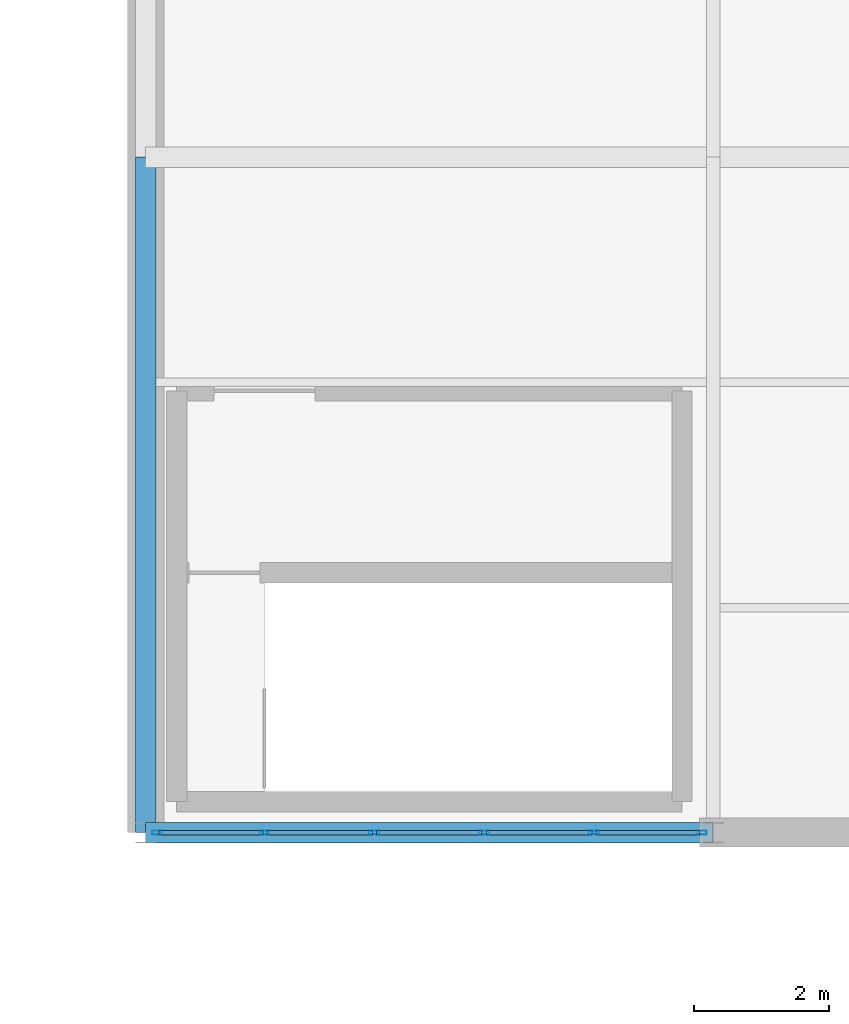
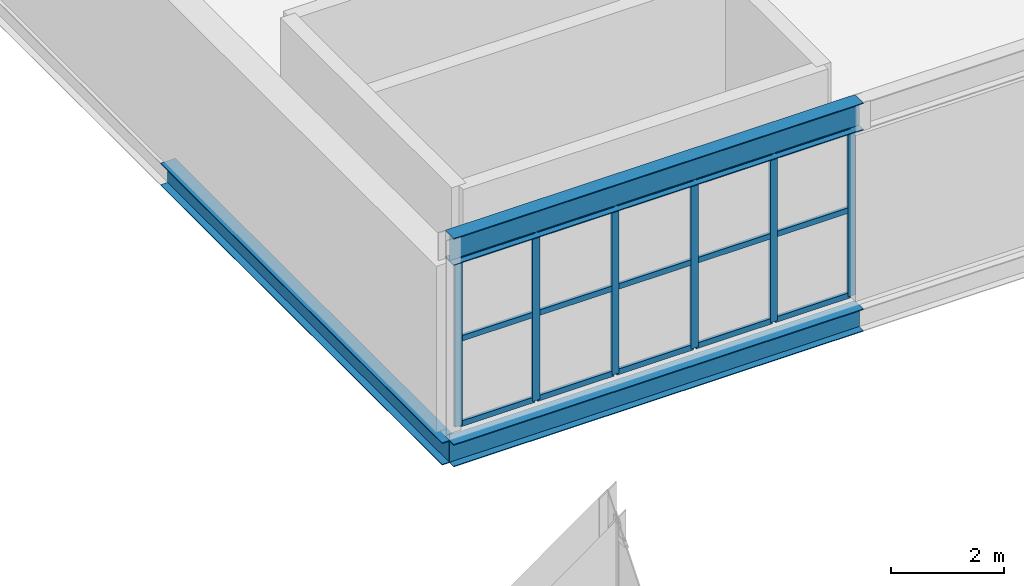
# One storey, part 88 of 218: 21 members, 3 beams, 1 element without a shape of its own.
"""IFC4 building model written with IfcOpenShell, lengths in metres."""

from ifc_helpers import new_model, si_unit, direction, frame, origin, origin_2d, place, context, subcontext, project, spatial, hollow_rectangle, i_section, extrude, material, material_profile, profile_set, type_object, element, aggregate, save


model = new_model("IFC4")

# Units and contexts
model_context = context("Model", 3, precision=1e-05, world=origin(), true_north=direction((0.0, 1.0)))
body_context = subcontext(model_context, "Body", "Model", "MODEL_VIEW")
ifc_project = project(units=[si_unit("LENGTHUNIT", "METRE"), si_unit("AREAUNIT", "SQUARE_METRE"), si_unit("VOLUMEUNIT", "CUBIC_METRE"), si_unit("PLANEANGLEUNIT", "RADIAN"), si_unit("MASSUNIT", "GRAM", prefix="KILO")], contexts=[model_context])

# Site, building, storey
site_placement = place(None, origin())
site = spatial("IfcSite", under=ifc_project, at=site_placement, CompositionType="ELEMENT")
building_placement = place(site_placement, origin())
building = spatial("IfcBuilding", under=site, at=building_placement, Name="Kazenagashi Tramway Depot", CompositionType="ELEMENT")
storey_placement = place(building_placement, frame((0.0, 0.0, 6.0)))
storey = spatial("IfcBuildingStorey", under=building, at=storey_placement, Name="L02", CompositionType="ELEMENT", Elevation=6.0)

# Curtain wall, members
ifc_material_1 = material(Name="Anodised Aluminium and Low-E Glazing", Category="aluminium")
curtain_wall_type = type_object("IfcCurtainWallType", Name="CW-11", PredefinedType="USERDEFINED", material=ifc_material_1)
curtain_wall_placement = place(storey_placement, origin())
curtain_wall = element("IfcCurtainWall", 1, at=curtain_wall_placement, inside=storey, type_object=curtain_wall_type, Name="Industrial Glazed Screen CW-11 CW-0019", ObjectType="GLAZED SCREEN", PredefinedType="USERDEFINED")
ifc_material_2 = material(Name="Anodised Aluminium", Category="aluminium")
ifc_material_profile_1 = material_profile(ifc_material_2, hollow_rectangle(XDim=0.06, YDim=0.15, WallThickness=0.004, at=origin_2d()), Name="RHS-150x60x4")
ifc_profile_set_1 = profile_set([ifc_material_profile_1], Name="Anodised Aluminium")
member_type_1 = type_object("IfcMemberType", Name="ML-01", PredefinedType="MULLION", material=ifc_profile_set_1)
member_1_placement = place(storey_placement, frame((44.97, 70.0, 0.0), z_axis=(0.0, 0.0, 1.0), x_axis=(0.0, 1.0, 0.0)))
member_1 = element("IfcMember", 2, at=member_1_placement, type_object=member_type_1, Name="CW-11 mullion 1", PredefinedType="MULLION", context=body_context, shape_type="SweptSolid", body=[
    extrude(hollow_rectangle(XDim=0.06, YDim=0.15, WallThickness=0.004, at=origin_2d()), origin(), (0.0, 0.0, 1.0), 3.612),
])
member_2_placement = place(storey_placement, frame((46.564, 70.0, 0.0), z_axis=(0.0, 0.0, 1.0), x_axis=(0.0, 1.0, 0.0)))
member_2 = element("IfcMember", 3, at=member_2_placement, type_object=member_type_1, Name="CW-11 mullion 2", PredefinedType="MULLION", context=body_context, shape_type="SweptSolid", body=[
    extrude(hollow_rectangle(XDim=0.06, YDim=0.15, WallThickness=0.004, at=origin_2d()), origin(), (0.0, 0.0, 1.0), 3.612),
])
member_3_placement = place(storey_placement, frame((48.188, 70.0, 0.0), z_axis=(0.0, 0.0, 1.0), x_axis=(0.0, 1.0, 0.0)))
member_3 = element("IfcMember", 4, at=member_3_placement, type_object=member_type_1, Name="CW-11 mullion 3", PredefinedType="MULLION", context=body_context, shape_type="SweptSolid", body=[
    extrude(hollow_rectangle(XDim=0.06, YDim=0.15, WallThickness=0.004, at=origin_2d()), origin(), (0.0, 0.0, 1.0), 3.612),
])
member_4_placement = place(storey_placement, frame((49.812, 70.0, 0.0), z_axis=(0.0, 0.0, 1.0), x_axis=(0.0, 1.0, 0.0)))
member_4 = element("IfcMember", 5, at=member_4_placement, type_object=member_type_1, Name="CW-11 mullion 4", PredefinedType="MULLION", context=body_context, shape_type="SweptSolid", body=[
    extrude(hollow_rectangle(XDim=0.06, YDim=0.15, WallThickness=0.004, at=origin_2d()), origin(), (0.0, 0.0, 1.0), 3.612),
])
member_5_placement = place(storey_placement, frame((51.436, 70.0, 0.0), z_axis=(0.0, 0.0, 1.0), x_axis=(0.0, 1.0, 0.0)))
member_5 = element("IfcMember", 6, at=member_5_placement, type_object=member_type_1, Name="CW-11 mullion 5", PredefinedType="MULLION", context=body_context, shape_type="SweptSolid", body=[
    extrude(hollow_rectangle(XDim=0.06, YDim=0.15, WallThickness=0.004, at=origin_2d()), origin(), (0.0, 0.0, 1.0), 3.612),
])
member_6_placement = place(storey_placement, frame((53.03, 70.0, 0.0), z_axis=(0.0, 0.0, 1.0), x_axis=(0.0, 1.0, 0.0)))
member_6 = element("IfcMember", 7, at=member_6_placement, type_object=member_type_1, Name="CW-11 mullion 6", PredefinedType="MULLION", context=body_context, shape_type="SweptSolid", body=[
    extrude(hollow_rectangle(XDim=0.06, YDim=0.15, WallThickness=0.004, at=origin_2d()), origin(), (0.0, 0.0, 1.0), 3.612),
])

# Beams
ifc_material_3 = material(Name="Steel SN490B", Category="steel")
ifc_material_profile_2 = material_profile(ifc_material_3, i_section(OverallWidth=0.3, OverallDepth=0.588, WebThickness=0.012, FlangeThickness=0.02, at=origin_2d()), Name="H-588x300x12x20")
ifc_profile_set_2 = profile_set([ifc_material_profile_2], Name="Steel SN490B")
beam_type_1 = type_object("IfcBeamType", Name="SP-01", PredefinedType="SPANDREL", material=ifc_profile_set_2)
beam_1_placement = place(storey_placement, frame((44.8, 70.0, 3.906), z_axis=(1.0, 0.0, 0.0), x_axis=(0.0, 1.0, 0.0)))
element("IfcBeam", 8, at=beam_1_placement, inside=storey, type_object=beam_type_1, Name="Beam SP-01 BM-1844", PredefinedType="SPANDREL", context=body_context, shape_type="SweptSolid", body=[
    extrude(i_section(OverallWidth=0.3, OverallDepth=0.588, WebThickness=0.012, FlangeThickness=0.02, at=origin_2d()), origin(), (0.0, 0.0, 1.0), 8.4),
])
ifc_material_profile_3 = material_profile(ifc_material_3, i_section(OverallWidth=0.3, OverallDepth=0.488, WebThickness=0.011, FlangeThickness=0.018, at=origin_2d()), Name="H-488x300x11x18")
ifc_profile_set_3 = profile_set([ifc_material_profile_3], Name="Steel SN490B")
beam_type_2 = type_object("IfcBeamType", Name="SP-02", PredefinedType="SPANDREL", material=ifc_profile_set_3)
beam_2_placement = place(storey_placement, frame((44.8, 70.0, -0.509), z_axis=(1.0, 0.0, 0.0), x_axis=(0.0, 1.0, 0.0)))
element("IfcBeam", 9, at=beam_2_placement, inside=storey, type_object=beam_type_2, Name="Beam SP-02 BM-1701", PredefinedType="SPANDREL", context=body_context, shape_type="SweptSolid", body=[
    extrude(i_section(OverallWidth=0.3, OverallDepth=0.488, WebThickness=0.011, FlangeThickness=0.018, at=origin_2d()), origin(), (0.0, 0.0, 1.0), 8.4),
])
beam_3_placement = place(storey_placement, frame((44.8, 70.0, -0.509), z_axis=(0.0, 1.0, 0.0), x_axis=(-1.0, 0.0, 0.0)))
element("IfcBeam", 10, at=beam_3_placement, inside=storey, type_object=beam_type_2, Name="Beam SP-02 BM-1737", PredefinedType="SPANDREL", context=body_context, shape_type="SweptSolid", body=[
    extrude(i_section(OverallWidth=0.3, OverallDepth=0.488, WebThickness=0.011, FlangeThickness=0.018, at=origin_2d()), origin(), (0.0, 0.0, 1.0), 10.0),
])

# Member
ifc_material_profile_4 = material_profile(ifc_material_2, hollow_rectangle(XDim=0.06, YDim=0.12, WallThickness=0.004, at=origin_2d()), Name="RHS-120x60x4")
ifc_profile_set_4 = profile_set([ifc_material_profile_4], Name="Anodised Aluminium")
member_type_2 = type_object("IfcMemberType", Name="TR-01", PredefinedType="USERDEFINED", material=ifc_profile_set_4)
member_7_placement = place(storey_placement, frame((45.0, 70.0, 0.03), z_axis=(1.0, 0.0, 0.0), x_axis=(0.0, 1.0, 0.0)))
member_7 = element("IfcMember", 11, at=member_7_placement, type_object=member_type_2, Name="CW-11 transom 1.1", ObjectType="TRANSOM", PredefinedType="USERDEFINED", context=body_context, shape_type="SweptSolid", body=[
    extrude(hollow_rectangle(XDim=0.06, YDim=0.12, WallThickness=0.004, at=origin_2d()), origin(), (0.0, 0.0, 1.0), 1.534),
])

member_8_placement = place(storey_placement, frame((45.0, 70.0, 1.878), z_axis=(1.0, 0.0, 0.0), x_axis=(0.0, 1.0, 0.0)))
member_8 = element("IfcMember", 12, at=member_8_placement, type_object=member_type_2, Name="CW-11 transom 1.2", ObjectType="TRANSOM", PredefinedType="USERDEFINED", context=body_context, shape_type="SweptSolid", body=[
    extrude(hollow_rectangle(XDim=0.06, YDim=0.12, WallThickness=0.004, at=origin_2d()), origin(), (0.0, 0.0, 1.0), 1.534),
])

member_9_placement = place(storey_placement, frame((45.0, 70.0, 3.582), z_axis=(1.0, 0.0, 0.0), x_axis=(0.0, 1.0, 0.0)))
member_9 = element("IfcMember", 13, at=member_9_placement, type_object=member_type_2, Name="CW-11 transom 1.3", ObjectType="TRANSOM", PredefinedType="USERDEFINED", context=body_context, shape_type="SweptSolid", body=[
    extrude(hollow_rectangle(XDim=0.06, YDim=0.12, WallThickness=0.004, at=origin_2d()), origin(), (0.0, 0.0, 1.0), 1.534),
])

member_10_placement = place(storey_placement, frame((46.594, 70.0, 0.03), z_axis=(1.0, 0.0, 0.0), x_axis=(0.0, 1.0, 0.0)))
member_10 = element("IfcMember", 14, at=member_10_placement, type_object=member_type_2, Name="CW-11 transom 2.1", ObjectType="TRANSOM", PredefinedType="USERDEFINED", context=body_context, shape_type="SweptSolid", body=[
    extrude(hollow_rectangle(XDim=0.06, YDim=0.12, WallThickness=0.004, at=origin_2d()), origin(), (0.0, 0.0, 1.0), 1.564),
])

member_11_placement = place(storey_placement, frame((46.594, 70.0, 1.878), z_axis=(1.0, 0.0, 0.0), x_axis=(0.0, 1.0, 0.0)))
member_11 = element("IfcMember", 15, at=member_11_placement, type_object=member_type_2, Name="CW-11 transom 2.2", ObjectType="TRANSOM", PredefinedType="USERDEFINED", context=body_context, shape_type="SweptSolid", body=[
    extrude(hollow_rectangle(XDim=0.06, YDim=0.12, WallThickness=0.004, at=origin_2d()), origin(), (0.0, 0.0, 1.0), 1.564),
])

member_12_placement = place(storey_placement, frame((46.594, 70.0, 3.582), z_axis=(1.0, 0.0, 0.0), x_axis=(0.0, 1.0, 0.0)))
member_12 = element("IfcMember", 16, at=member_12_placement, type_object=member_type_2, Name="CW-11 transom 2.3", ObjectType="TRANSOM", PredefinedType="USERDEFINED", context=body_context, shape_type="SweptSolid", body=[
    extrude(hollow_rectangle(XDim=0.06, YDim=0.12, WallThickness=0.004, at=origin_2d()), origin(), (0.0, 0.0, 1.0), 1.564),
])

member_13_placement = place(storey_placement, frame((48.218, 70.0, 0.03), z_axis=(1.0, 0.0, 0.0), x_axis=(0.0, 1.0, 0.0)))
member_13 = element("IfcMember", 17, at=member_13_placement, type_object=member_type_2, Name="CW-11 transom 3.1", ObjectType="TRANSOM", PredefinedType="USERDEFINED", context=body_context, shape_type="SweptSolid", body=[
    extrude(hollow_rectangle(XDim=0.06, YDim=0.12, WallThickness=0.004, at=origin_2d()), origin(), (0.0, 0.0, 1.0), 1.564),
])

member_14_placement = place(storey_placement, frame((48.218, 70.0, 1.878), z_axis=(1.0, 0.0, 0.0), x_axis=(0.0, 1.0, 0.0)))
member_14 = element("IfcMember", 18, at=member_14_placement, type_object=member_type_2, Name="CW-11 transom 3.2", ObjectType="TRANSOM", PredefinedType="USERDEFINED", context=body_context, shape_type="SweptSolid", body=[
    extrude(hollow_rectangle(XDim=0.06, YDim=0.12, WallThickness=0.004, at=origin_2d()), origin(), (0.0, 0.0, 1.0), 1.564),
])

member_15_placement = place(storey_placement, frame((48.218, 70.0, 3.582), z_axis=(1.0, 0.0, 0.0), x_axis=(0.0, 1.0, 0.0)))
member_15 = element("IfcMember", 19, at=member_15_placement, type_object=member_type_2, Name="CW-11 transom 3.3", ObjectType="TRANSOM", PredefinedType="USERDEFINED", context=body_context, shape_type="SweptSolid", body=[
    extrude(hollow_rectangle(XDim=0.06, YDim=0.12, WallThickness=0.004, at=origin_2d()), origin(), (0.0, 0.0, 1.0), 1.564),
])

member_16_placement = place(storey_placement, frame((49.842, 70.0, 0.03), z_axis=(1.0, 0.0, 0.0), x_axis=(0.0, 1.0, 0.0)))
member_16 = element("IfcMember", 20, at=member_16_placement, type_object=member_type_2, Name="CW-11 transom 4.1", ObjectType="TRANSOM", PredefinedType="USERDEFINED", context=body_context, shape_type="SweptSolid", body=[
    extrude(hollow_rectangle(XDim=0.06, YDim=0.12, WallThickness=0.004, at=origin_2d()), origin(), (0.0, 0.0, 1.0), 1.564),
])

member_17_placement = place(storey_placement, frame((49.842, 70.0, 1.878), z_axis=(1.0, 0.0, 0.0), x_axis=(0.0, 1.0, 0.0)))
member_17 = element("IfcMember", 21, at=member_17_placement, type_object=member_type_2, Name="CW-11 transom 4.2", ObjectType="TRANSOM", PredefinedType="USERDEFINED", context=body_context, shape_type="SweptSolid", body=[
    extrude(hollow_rectangle(XDim=0.06, YDim=0.12, WallThickness=0.004, at=origin_2d()), origin(), (0.0, 0.0, 1.0), 1.564),
])

member_18_placement = place(storey_placement, frame((49.842, 70.0, 3.582), z_axis=(1.0, 0.0, 0.0), x_axis=(0.0, 1.0, 0.0)))
member_18 = element("IfcMember", 22, at=member_18_placement, type_object=member_type_2, Name="CW-11 transom 4.3", ObjectType="TRANSOM", PredefinedType="USERDEFINED", context=body_context, shape_type="SweptSolid", body=[
    extrude(hollow_rectangle(XDim=0.06, YDim=0.12, WallThickness=0.004, at=origin_2d()), origin(), (0.0, 0.0, 1.0), 1.564),
])

member_19_placement = place(storey_placement, frame((51.466, 70.0, 0.03), z_axis=(1.0, 0.0, 0.0), x_axis=(0.0, 1.0, 0.0)))
member_19 = element("IfcMember", 23, at=member_19_placement, type_object=member_type_2, Name="CW-11 transom 5.1", ObjectType="TRANSOM", PredefinedType="USERDEFINED", context=body_context, shape_type="SweptSolid", body=[
    extrude(hollow_rectangle(XDim=0.06, YDim=0.12, WallThickness=0.004, at=origin_2d()), origin(), (0.0, 0.0, 1.0), 1.534),
])

member_20_placement = place(storey_placement, frame((51.466, 70.0, 1.878), z_axis=(1.0, 0.0, 0.0), x_axis=(0.0, 1.0, 0.0)))
member_20 = element("IfcMember", 24, at=member_20_placement, type_object=member_type_2, Name="CW-11 transom 5.2", ObjectType="TRANSOM", PredefinedType="USERDEFINED", context=body_context, shape_type="SweptSolid", body=[
    extrude(hollow_rectangle(XDim=0.06, YDim=0.12, WallThickness=0.004, at=origin_2d()), origin(), (0.0, 0.0, 1.0), 1.534),
])

member_21_placement = place(storey_placement, frame((51.466, 70.0, 3.582), z_axis=(1.0, 0.0, 0.0), x_axis=(0.0, 1.0, 0.0)))
member_21 = element("IfcMember", 25, at=member_21_placement, type_object=member_type_2, Name="CW-11 transom 5.3", ObjectType="TRANSOM", PredefinedType="USERDEFINED", context=body_context, shape_type="SweptSolid", body=[
    extrude(hollow_rectangle(XDim=0.06, YDim=0.12, WallThickness=0.004, at=origin_2d()), origin(), (0.0, 0.0, 1.0), 1.534),
])

aggregate(curtain_wall, [member_1, member_2, member_3, member_4, member_5, member_6, member_7, member_8, member_9, member_10, member_11, member_12, member_13, member_14, member_15, member_16, member_17, member_18, member_19, member_20, member_21])

save(model, "model.ifc")
